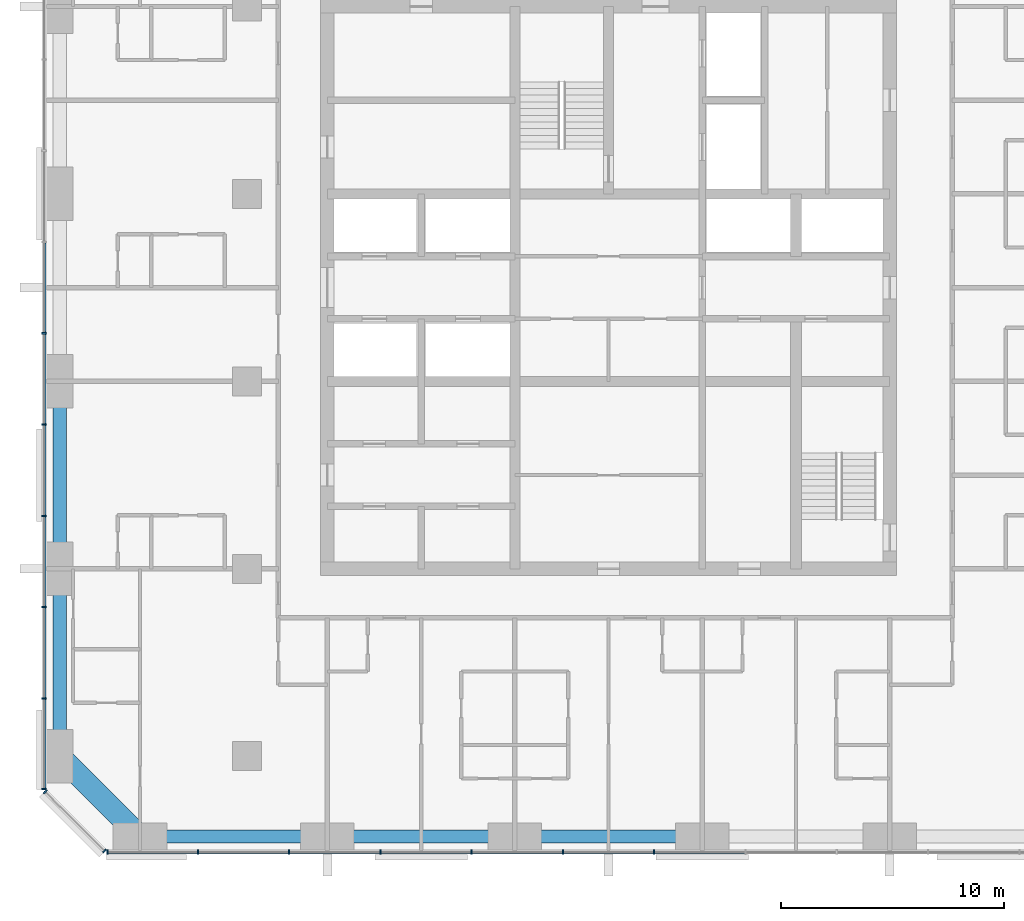
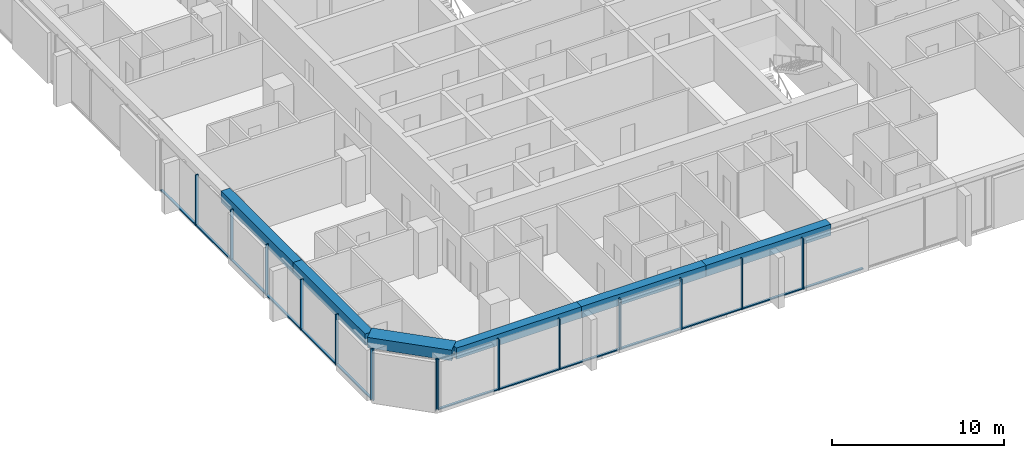
# One storey, part 2 of 14: 28 members, 6 beams, 3 elements without a shape of their own.
"""IFC4 building model written with IfcOpenShell, lengths in metres."""

from ifc_helpers import new_model, si_unit, direction, frame, origin, origin_2d, place, context, subcontext, project, spatial, rectangle, extrude, material, material_profile, profile_set, type_object, element, aggregate, save


model = new_model("IFC4")

# Units and contexts
model_context = context("Model", 3, precision=1e-05, world=origin(), true_north=direction((0.0, 1.0)))
body_context = subcontext(model_context, "Body", "Model", "MODEL_VIEW")
ifc_project = project(units=[si_unit("LENGTHUNIT", "METRE"), si_unit("AREAUNIT", "SQUARE_METRE"), si_unit("VOLUMEUNIT", "CUBIC_METRE"), si_unit("PLANEANGLEUNIT", "RADIAN"), si_unit("MASSUNIT", "GRAM", prefix="KILO")], contexts=[model_context])

# Site, building, storey
site_placement = place(None, origin())
site = spatial("IfcSite", under=ifc_project, at=site_placement, CompositionType="ELEMENT")
building_placement = place(site_placement, origin())
building = spatial("IfcBuilding", under=site, at=building_placement, Name="Dunama Terrace Hotel", CompositionType="ELEMENT")
storey_placement = place(building_placement, frame((0.0, 0.0, 184.199951171875)))
storey = spatial("IfcBuildingStorey", under=building, at=storey_placement, Name="L47", CompositionType="ELEMENT", Elevation=184.199951171875)

# Curtain wall, members
ifc_material_1 = material(Name="Aluminium curtain wall system", Category="aluminium")
curtain_wall_type = type_object("IfcCurtainWallType", Name="Unitised fritted glass wall CW-C", PredefinedType="NOTDEFINED", material=ifc_material_1)
curtain_wall_1_placement = place(storey_placement, origin())
curtain_wall_1 = element("IfcCurtainWall", 1, at=curtain_wall_1_placement, inside=storey, type_object=curtain_wall_type, Name="Unitised fritted glass wall CW-C L47", PredefinedType="NOTDEFINED")
ifc_material_2 = material(Name="Aluminium mullion", Category="aluminium")
ifc_material_profile_1 = material_profile(ifc_material_2, rectangle(XDim=0.070068359375, YDim=0.199951171875, at=origin_2d()), Name="CWC MULLION 70X200")
ifc_profile_set_1 = profile_set([ifc_material_profile_1], Name="Aluminium mullion")
member_type_1 = type_object("IfcMemberType", Name="CWC mullion 70x200", PredefinedType="MULLION", material=ifc_profile_set_1)
member_1_placement = place(storey_placement, frame((6.93505859375, 4.10009765625, 0.0), z_axis=(0.0, 0.0, 1.0), x_axis=(1.0, 0.0, 0.0)))
member_1 = element("IfcMember", 2, at=member_1_placement, type_object=member_type_1, Name="CWC mullion", PredefinedType="MULLION", context=body_context, shape_type="SweptSolid", body=[
    extrude(rectangle(XDim=0.070068359375, YDim=0.199951171875, at=origin_2d()), origin(), (0.0, 0.0, 1.0), 3.60009765625),
])
member_2_placement = place(storey_placement, frame((10.990966796875, 4.10009765625, 0.0), z_axis=(0.0, 0.0, 1.0), x_axis=(1.0, 0.0, 0.0)))
member_2 = element("IfcMember", 3, at=member_2_placement, type_object=member_type_1, Name="CWC mullion", PredefinedType="MULLION", context=body_context, shape_type="SweptSolid", body=[
    extrude(rectangle(XDim=0.070068359375, YDim=0.199951171875, at=origin_2d()), origin(), (0.0, 0.0, 1.0), 3.60009765625),
])
member_3_placement = place(storey_placement, frame((15.08203125, 4.10009765625, 0.0), z_axis=(0.0, 0.0, 1.0), x_axis=(1.0, 0.0, 0.0)))
member_3 = element("IfcMember", 4, at=member_3_placement, type_object=member_type_1, Name="CWC mullion", PredefinedType="MULLION", context=body_context, shape_type="SweptSolid", body=[
    extrude(rectangle(XDim=0.070068359375, YDim=0.199951171875, at=origin_2d()), origin(), (0.0, 0.0, 1.0), 3.60009765625),
])
member_4_placement = place(storey_placement, frame((19.173095703125, 4.10009765625, 0.0), z_axis=(0.0, 0.0, 1.0), x_axis=(1.0, 0.0, 0.0)))
member_4 = element("IfcMember", 5, at=member_4_placement, type_object=member_type_1, Name="CWC mullion", PredefinedType="MULLION", context=body_context, shape_type="SweptSolid", body=[
    extrude(rectangle(XDim=0.070068359375, YDim=0.199951171875, at=origin_2d()), origin(), (0.0, 0.0, 1.0), 3.60009765625),
])
member_5_placement = place(storey_placement, frame((23.263916015625, 4.10009765625, 0.0), z_axis=(0.0, 0.0, 1.0), x_axis=(1.0, 0.0, 0.0)))
member_5 = element("IfcMember", 6, at=member_5_placement, type_object=member_type_1, Name="CWC mullion", PredefinedType="MULLION", context=body_context, shape_type="SweptSolid", body=[
    extrude(rectangle(XDim=0.070068359375, YDim=0.199951171875, at=origin_2d()), origin(), (0.0, 0.0, 1.0), 3.60009765625),
])
member_6_placement = place(storey_placement, frame((27.35498046875, 4.10009765625, 0.0), z_axis=(0.0, 0.0, 1.0), x_axis=(1.0, 0.0, 0.0)))
member_6 = element("IfcMember", 7, at=member_6_placement, type_object=member_type_1, Name="CWC mullion", PredefinedType="MULLION", context=body_context, shape_type="SweptSolid", body=[
    extrude(rectangle(XDim=0.070068359375, YDim=0.199951171875, at=origin_2d()), origin(), (0.0, 0.0, 1.0), 3.60009765625),
])
member_7_placement = place(storey_placement, frame((31.445068359375, 4.10009765625, 0.0), z_axis=(0.0, 0.0, 1.0), x_axis=(1.0, 0.0, 0.0)))
member_7 = element("IfcMember", 8, at=member_7_placement, type_object=member_type_1, Name="CWC mullion", PredefinedType="MULLION", context=body_context, shape_type="SweptSolid", body=[
    extrude(rectangle(XDim=0.070068359375, YDim=0.199951171875, at=origin_2d()), origin(), (0.0, 0.0, 1.0), 3.60009765625),
])

curtain_wall_2_placement = place(storey_placement, origin())
curtain_wall_2 = element("IfcCurtainWall", 9, at=curtain_wall_2_placement, inside=storey, type_object=curtain_wall_type, Name="Unitised fritted glass wall CW-C L47", PredefinedType="NOTDEFINED")
member_8_placement = place(storey_placement, frame((4.10009765625, 27.35498046875, 0.0), z_axis=(0.0, 0.0, 1.0), x_axis=(0.0, -1.0, 0.0)))
member_8 = element("IfcMember", 10, at=member_8_placement, type_object=member_type_1, Name="CWC mullion", PredefinedType="MULLION", context=body_context, shape_type="SweptSolid", body=[
    extrude(rectangle(XDim=0.070068359375, YDim=0.199951171875, at=origin_2d()), origin(), (0.0, 0.0, 1.0), 3.60009765625),
])
member_9_placement = place(storey_placement, frame((4.10009765625, 23.263916015625, 0.0), z_axis=(0.0, 0.0, 1.0), x_axis=(0.0, -1.0, 0.0)))
member_9 = element("IfcMember", 11, at=member_9_placement, type_object=member_type_1, Name="CWC mullion", PredefinedType="MULLION", context=body_context, shape_type="SweptSolid", body=[
    extrude(rectangle(XDim=0.070068359375, YDim=0.199951171875, at=origin_2d()), origin(), (0.0, 0.0, 1.0), 3.60009765625),
])
member_10_placement = place(storey_placement, frame((4.10009765625, 19.173095703125, 0.0), z_axis=(0.0, 0.0, 1.0), x_axis=(0.0, -1.0, 0.0)))
member_10 = element("IfcMember", 12, at=member_10_placement, type_object=member_type_1, Name="CWC mullion", PredefinedType="MULLION", context=body_context, shape_type="SweptSolid", body=[
    extrude(rectangle(XDim=0.070068359375, YDim=0.199951171875, at=origin_2d()), origin(), (0.0, 0.0, 1.0), 3.60009765625),
])
member_11_placement = place(storey_placement, frame((4.10009765625, 15.08203125, 0.0), z_axis=(0.0, 0.0, 1.0), x_axis=(0.0, -1.0, 0.0)))
member_11 = element("IfcMember", 13, at=member_11_placement, type_object=member_type_1, Name="CWC mullion", PredefinedType="MULLION", context=body_context, shape_type="SweptSolid", body=[
    extrude(rectangle(XDim=0.070068359375, YDim=0.199951171875, at=origin_2d()), origin(), (0.0, 0.0, 1.0), 3.60009765625),
])
member_12_placement = place(storey_placement, frame((4.10009765625, 10.990966796875, 0.0), z_axis=(0.0, 0.0, 1.0), x_axis=(0.0, -1.0, 0.0)))
member_12 = element("IfcMember", 14, at=member_12_placement, type_object=member_type_1, Name="CWC mullion", PredefinedType="MULLION", context=body_context, shape_type="SweptSolid", body=[
    extrude(rectangle(XDim=0.070068359375, YDim=0.199951171875, at=origin_2d()), origin(), (0.0, 0.0, 1.0), 3.60009765625),
])
member_13_placement = place(storey_placement, frame((4.10009765625, 6.93505859375, 0.0), z_axis=(0.0, 0.0, 1.0), x_axis=(0.0, -1.0, 0.0)))
member_13 = element("IfcMember", 15, at=member_13_placement, type_object=member_type_1, Name="CWC mullion", PredefinedType="MULLION", context=body_context, shape_type="SweptSolid", body=[
    extrude(rectangle(XDim=0.070068359375, YDim=0.199951171875, at=origin_2d()), origin(), (0.0, 0.0, 1.0), 3.60009765625),
])

curtain_wall_3_placement = place(storey_placement, origin())
curtain_wall_3 = element("IfcCurtainWall", 16, at=curtain_wall_3_placement, inside=storey, type_object=curtain_wall_type, Name="Unitised fritted glass wall CW-C L47", PredefinedType="NOTDEFINED")
member_14_placement = place(storey_placement, frame((4.154052734375, 6.804931640625, 0.0), z_axis=(0.0, 0.0, 1.0), x_axis=(0.707106781187, -0.707106781187, 0.0)))
member_14 = element("IfcMember", 17, at=member_14_placement, type_object=member_type_1, Name="CWC mullion", PredefinedType="MULLION", context=body_context, shape_type="SweptSolid", body=[
    extrude(rectangle(XDim=0.070068359375, YDim=0.199951171875, at=origin_2d()), origin(), (0.0, 0.0, 1.0), 3.60009765625),
])
member_15_placement = place(storey_placement, frame((6.804931640625, 4.154052734375, 0.0), z_axis=(0.0, 0.0, 1.0), x_axis=(0.707106781187, -0.707106781187, 0.0)))
member_15 = element("IfcMember", 18, at=member_15_placement, type_object=member_type_1, Name="CWC mullion", PredefinedType="MULLION", context=body_context, shape_type="SweptSolid", body=[
    extrude(rectangle(XDim=0.070068359375, YDim=0.199951171875, at=origin_2d()), origin(), (0.0, 0.0, 1.0), 3.60009765625),
])
aggregate(curtain_wall_3, [member_14, member_15])

# Member
ifc_material_3 = material(Name="Aluminium transom", Category="aluminium")
ifc_material_profile_2 = material_profile(ifc_material_3, rectangle(XDim=0.159912109375, YDim=0.080078125, at=origin_2d()), Name="CWC TRANSOM 160X80")
ifc_profile_set_2 = profile_set([ifc_material_profile_2], Name="Aluminium transom")
member_type_2 = type_object("IfcMemberType", Name="CWC transom 160x80", PredefinedType="USERDEFINED", material=ifc_profile_set_2)
member_16_placement = place(storey_placement, frame((6.969970703125, 4.10009765625, 0.0400390625), z_axis=(1.0, 0.0, 0.0), x_axis=(0.0, 1.0, 0.0)))
member_16 = element("IfcMember", 19, at=member_16_placement, type_object=member_type_2, Name="CWC transom", ObjectType="TRANSOM", PredefinedType="USERDEFINED", context=body_context, shape_type="SweptSolid", body=[
    extrude(rectangle(XDim=0.159912109375, YDim=0.080078125, at=origin_2d()), origin(), (0.0, 0.0, 1.0), 3.986083984375),
])

member_17_placement = place(storey_placement, frame((11.02587890625, 4.10009765625, 0.0400390625), z_axis=(1.0, 0.0, 0.0), x_axis=(0.0, 1.0, 0.0)))
member_17 = element("IfcMember", 20, at=member_17_placement, type_object=member_type_2, Name="CWC transom", ObjectType="TRANSOM", PredefinedType="USERDEFINED", context=body_context, shape_type="SweptSolid", body=[
    extrude(rectangle(XDim=0.159912109375, YDim=0.080078125, at=origin_2d()), origin(), (0.0, 0.0, 1.0), 4.021240234375),
])

member_18_placement = place(storey_placement, frame((15.116943359375, 4.10009765625, 0.0400390625), z_axis=(1.0, 0.0, 0.0), x_axis=(0.0, 1.0, 0.0)))
member_18 = element("IfcMember", 21, at=member_18_placement, type_object=member_type_2, Name="CWC transom", ObjectType="TRANSOM", PredefinedType="USERDEFINED", context=body_context, shape_type="SweptSolid", body=[
    extrude(rectangle(XDim=0.159912109375, YDim=0.080078125, at=origin_2d()), origin(), (0.0, 0.0, 1.0), 4.02099609375),
])

member_19_placement = place(storey_placement, frame((19.2080078125, 4.10009765625, 0.0400390625), z_axis=(1.0, 0.0, 0.0), x_axis=(0.0, 1.0, 0.0)))
member_19 = element("IfcMember", 22, at=member_19_placement, type_object=member_type_2, Name="CWC transom", ObjectType="TRANSOM", PredefinedType="USERDEFINED", context=body_context, shape_type="SweptSolid", body=[
    extrude(rectangle(XDim=0.159912109375, YDim=0.080078125, at=origin_2d()), origin(), (0.0, 0.0, 1.0), 4.02099609375),
])

member_20_placement = place(storey_placement, frame((23.299072265625, 4.10009765625, 0.0400390625), z_axis=(1.0, 0.0, 0.0), x_axis=(0.0, 1.0, 0.0)))
member_20 = element("IfcMember", 23, at=member_20_placement, type_object=member_type_2, Name="CWC transom", ObjectType="TRANSOM", PredefinedType="USERDEFINED", context=body_context, shape_type="SweptSolid", body=[
    extrude(rectangle(XDim=0.159912109375, YDim=0.080078125, at=origin_2d()), origin(), (0.0, 0.0, 1.0), 4.02099609375),
])

member_21_placement = place(storey_placement, frame((27.389892578125, 4.10009765625, 0.0400390625), z_axis=(1.0, 0.0, 0.0), x_axis=(0.0, 1.0, 0.0)))
member_21 = element("IfcMember", 24, at=member_21_placement, type_object=member_type_2, Name="CWC transom", ObjectType="TRANSOM", PredefinedType="USERDEFINED", context=body_context, shape_type="SweptSolid", body=[
    extrude(rectangle(XDim=0.159912109375, YDim=0.080078125, at=origin_2d()), origin(), (0.0, 0.0, 1.0), 4.02001953125),
])

member_22_placement = place(storey_placement, frame((31.47998046875, 4.10009765625, 0.0400390625), z_axis=(1.0, 0.0, 0.0), x_axis=(0.0, 1.0, 0.0)))
member_22 = element("IfcMember", 25, at=member_22_placement, type_object=member_type_2, Name="CWC transom", ObjectType="TRANSOM", PredefinedType="USERDEFINED", context=body_context, shape_type="SweptSolid", body=[
    extrude(rectangle(XDim=0.159912109375, YDim=0.080078125, at=origin_2d()), origin(), (0.0, 0.0, 1.0), 4.02099609375),
])

aggregate(curtain_wall_1, [member_1, member_2, member_3, member_4, member_5, member_6, member_7, member_16, member_17, member_18, member_19, member_20, member_21, member_22])

member_23_placement = place(storey_placement, frame((4.10009765625, 31.409912109375, 0.0400390625), z_axis=(0.0, -1.0, 0.0), x_axis=(1.0, 0.0, 0.0)))
member_23 = element("IfcMember", 26, at=member_23_placement, type_object=member_type_2, Name="CWC transom", ObjectType="TRANSOM", PredefinedType="USERDEFINED", context=body_context, shape_type="SweptSolid", body=[
    extrude(rectangle(XDim=0.159912109375, YDim=0.080078125, at=origin_2d()), origin(), (0.0, 0.0, 1.0), 4.02001953125),
])

member_24_placement = place(storey_placement, frame((4.10009765625, 27.320068359375, 0.0400390625), z_axis=(0.0, -1.0, 0.0), x_axis=(1.0, 0.0, 0.0)))
member_24 = element("IfcMember", 27, at=member_24_placement, type_object=member_type_2, Name="CWC transom", ObjectType="TRANSOM", PredefinedType="USERDEFINED", context=body_context, shape_type="SweptSolid", body=[
    extrude(rectangle(XDim=0.159912109375, YDim=0.080078125, at=origin_2d()), origin(), (0.0, 0.0, 1.0), 4.02099609375),
])

member_25_placement = place(storey_placement, frame((4.10009765625, 23.22900390625, 0.0400390625), z_axis=(0.0, -1.0, 0.0), x_axis=(1.0, 0.0, 0.0)))
member_25 = element("IfcMember", 28, at=member_25_placement, type_object=member_type_2, Name="CWC transom", ObjectType="TRANSOM", PredefinedType="USERDEFINED", context=body_context, shape_type="SweptSolid", body=[
    extrude(rectangle(XDim=0.159912109375, YDim=0.080078125, at=origin_2d()), origin(), (0.0, 0.0, 1.0), 4.02099609375),
])

member_26_placement = place(storey_placement, frame((4.10009765625, 19.137939453125, 0.0400390625), z_axis=(0.0, -1.0, 0.0), x_axis=(1.0, 0.0, 0.0)))
member_26 = element("IfcMember", 29, at=member_26_placement, type_object=member_type_2, Name="CWC transom", ObjectType="TRANSOM", PredefinedType="USERDEFINED", context=body_context, shape_type="SweptSolid", body=[
    extrude(rectangle(XDim=0.159912109375, YDim=0.080078125, at=origin_2d()), origin(), (0.0, 0.0, 1.0), 4.02099609375),
])

member_27_placement = place(storey_placement, frame((4.10009765625, 15.047119140625, 0.0400390625), z_axis=(0.0, -1.0, 0.0), x_axis=(1.0, 0.0, 0.0)))
member_27 = element("IfcMember", 30, at=member_27_placement, type_object=member_type_2, Name="CWC transom", ObjectType="TRANSOM", PredefinedType="USERDEFINED", context=body_context, shape_type="SweptSolid", body=[
    extrude(rectangle(XDim=0.159912109375, YDim=0.080078125, at=origin_2d()), origin(), (0.0, 0.0, 1.0), 4.021240234375),
])

member_28_placement = place(storey_placement, frame((4.10009765625, 10.9560546875, 0.0400390625), z_axis=(0.0, -1.0, 0.0), x_axis=(1.0, 0.0, 0.0)))
member_28 = element("IfcMember", 31, at=member_28_placement, type_object=member_type_2, Name="CWC transom", ObjectType="TRANSOM", PredefinedType="USERDEFINED", context=body_context, shape_type="SweptSolid", body=[
    extrude(rectangle(XDim=0.159912109375, YDim=0.080078125, at=origin_2d()), origin(), (0.0, 0.0, 1.0), 3.986083984375),
])

aggregate(curtain_wall_2, [member_8, member_9, member_10, member_11, member_12, member_13, member_23, member_24, member_25, member_26, member_27, member_28])

# Beams
ifc_material_4 = material(Name="Concrete C50/60", Category="concrete")
ifc_material_profile_3 = material_profile(ifc_material_4, rectangle(XDim=1.0, YDim=0.75, at=origin_2d()), Name="RC 1000x750")
ifc_profile_set_3 = profile_set([ifc_material_profile_3], Name="Concrete C50/60")
beam_type_1 = type_object("IfcBeamType", Name="Edge beam RC 1000x750", PredefinedType="SPANDREL", material=ifc_profile_set_3)
beam_1_placement = place(storey_placement, frame((8.39990234375, 4.800048828125, 3.22509765625), z_axis=(-0.707106781187, 0.707106781187, 0.0), x_axis=(-0.707106781187, -0.707106781187, 0.0)))
element("IfcBeam", 32, at=beam_1_placement, inside=storey, type_object=beam_type_1, Name="Corner edge beam under L48", PredefinedType="SPANDREL", context=body_context, shape_type="SweptSolid", body=[
    extrude(rectangle(XDim=1.0, YDim=0.75, at=origin_2d()), origin(), (0.0, 0.0, 1.0), 5.091064453125),
])
ifc_material_5 = material(Name="Concrete C40/50", Category="concrete")
ifc_material_profile_4 = material_profile(ifc_material_5, rectangle(XDim=0.60009765625, YDim=0.800048828125, at=origin_2d()), Name="RC 600x800")
ifc_profile_set_4 = profile_set([ifc_material_profile_4], Name="Concrete C40/50")
beam_type_2 = type_object("IfcBeamType", Name="Edge beam RC 600x800", PredefinedType="SPANDREL", material=ifc_profile_set_4)
beam_2_placement = place(storey_placement, frame((4.800048828125, 8.39990234375, 3.199951171875), z_axis=(0.0, 1.0, 0.0), x_axis=(-1.0, 0.0, 0.0)))
element("IfcBeam", 33, at=beam_2_placement, inside=storey, type_object=beam_type_2, Name="Edge beam under L48", PredefinedType="SPANDREL", context=body_context, shape_type="SweptSolid", body=[
    extrude(rectangle(XDim=0.60009765625, YDim=0.800048828125, at=origin_2d()), origin(), (0.0, 0.0, 1.0), 8.400146484375),
])
beam_3_placement = place(storey_placement, frame((4.800048828125, 16.800048828125, 3.199951171875), z_axis=(0.0, 1.0, 0.0), x_axis=(-1.0, 0.0, 0.0)))
element("IfcBeam", 34, at=beam_3_placement, inside=storey, type_object=beam_type_2, Name="Edge beam under L48", PredefinedType="SPANDREL", context=body_context, shape_type="SweptSolid", body=[
    extrude(rectangle(XDim=0.60009765625, YDim=0.800048828125, at=origin_2d()), origin(), (0.0, 0.0, 1.0), 8.39990234375),
])
beam_4_placement = place(storey_placement, frame((8.39990234375, 4.800048828125, 3.199951171875), z_axis=(1.0, 0.0, 0.0), x_axis=(0.0, 1.0, 0.0)))
element("IfcBeam", 35, at=beam_4_placement, inside=storey, type_object=beam_type_2, Name="Edge beam under L48", PredefinedType="SPANDREL", context=body_context, shape_type="SweptSolid", body=[
    extrude(rectangle(XDim=0.60009765625, YDim=0.800048828125, at=origin_2d()), origin(), (0.0, 0.0, 1.0), 8.400146484375),
])
beam_5_placement = place(storey_placement, frame((16.800048828125, 4.800048828125, 3.199951171875), z_axis=(1.0, 0.0, 0.0), x_axis=(0.0, 1.0, 0.0)))
element("IfcBeam", 36, at=beam_5_placement, inside=storey, type_object=beam_type_2, Name="Edge beam under L48", PredefinedType="SPANDREL", context=body_context, shape_type="SweptSolid", body=[
    extrude(rectangle(XDim=0.60009765625, YDim=0.800048828125, at=origin_2d()), origin(), (0.0, 0.0, 1.0), 8.39990234375),
])
beam_6_placement = place(storey_placement, frame((25.199951171875, 4.800048828125, 3.199951171875), z_axis=(1.0, 0.0, 0.0), x_axis=(0.0, 1.0, 0.0)))
element("IfcBeam", 37, at=beam_6_placement, inside=storey, type_object=beam_type_2, Name="Edge beam under L48", PredefinedType="SPANDREL", context=body_context, shape_type="SweptSolid", body=[
    extrude(rectangle(XDim=0.60009765625, YDim=0.800048828125, at=origin_2d()), origin(), (0.0, 0.0, 1.0), 8.400146484375),
])

save(model, "model.ifc")
